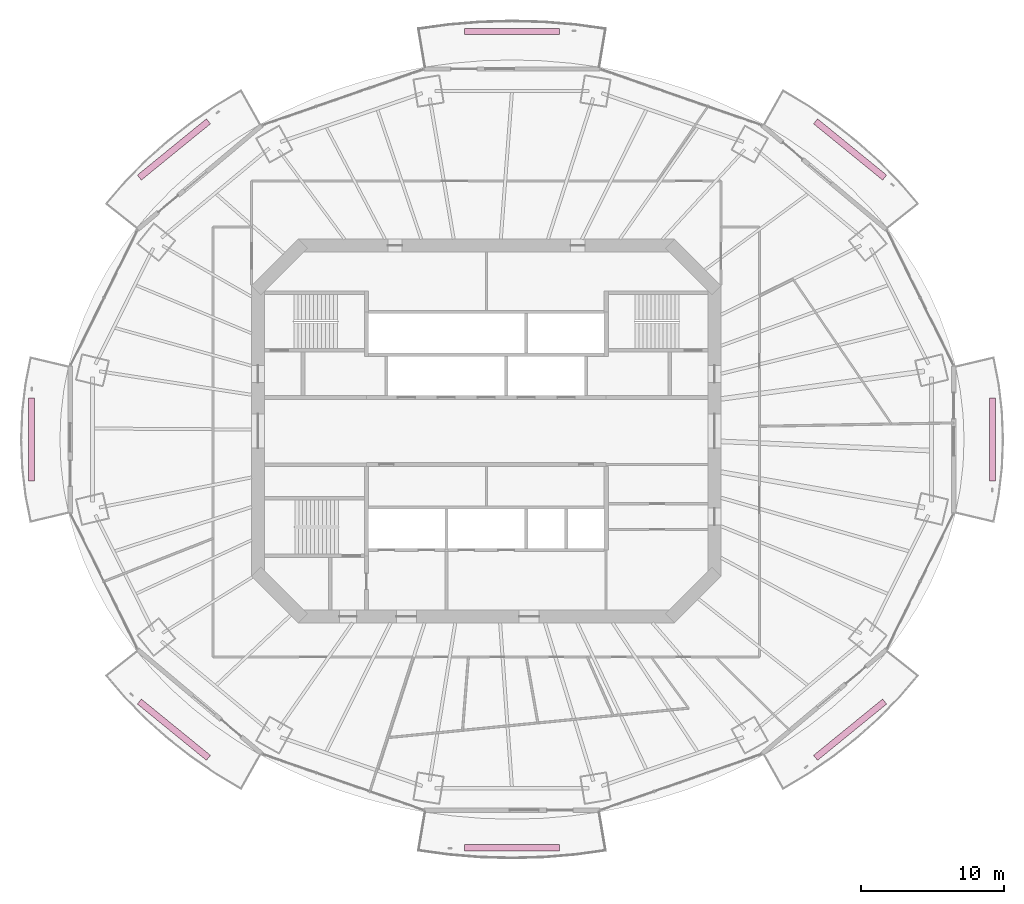
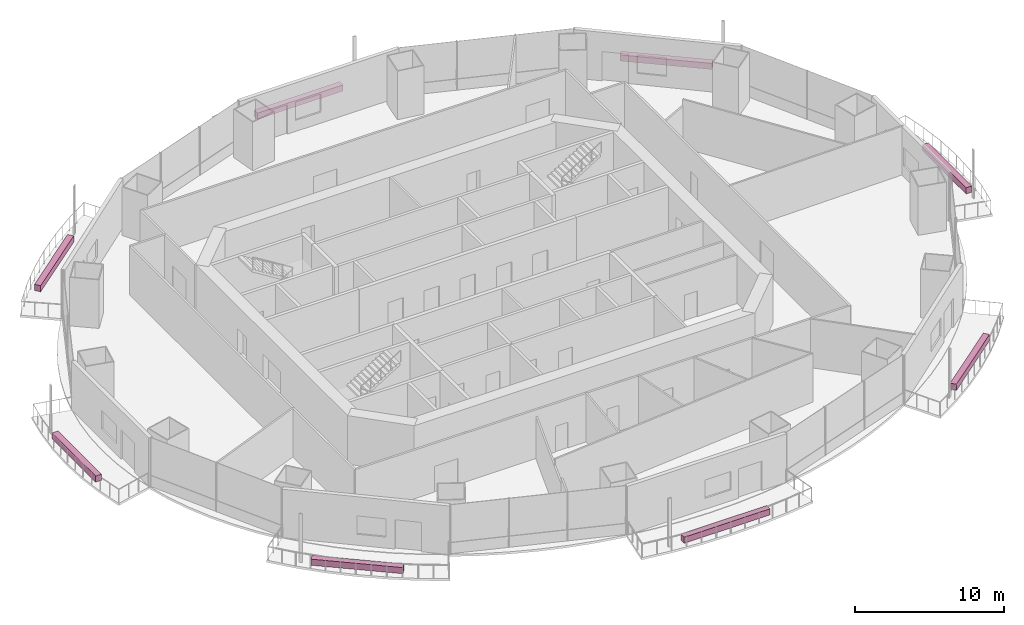
# One storey, part 21 of 21: 8 furnishings.
"""IFC4 building model written with IfcOpenShell, lengths in metres."""

from ifc_helpers import new_model, si_unit, direction, frame, origin, origin_2d, place, context, subcontext, project, spatial, rectangle, extrude, material, type_object, element, save


model = new_model("IFC4")

# Units and contexts
model_context = context("Model", 3, precision=1e-05, world=origin(), true_north=direction((0.0, 1.0)))
body_context = subcontext(model_context, "Body", "Model", "MODEL_VIEW")
ifc_project = project(units=[si_unit("LENGTHUNIT", "METRE"), si_unit("AREAUNIT", "SQUARE_METRE"), si_unit("VOLUMEUNIT", "CUBIC_METRE"), si_unit("PLANEANGLEUNIT", "RADIAN"), si_unit("MASSUNIT", "GRAM", prefix="KILO")], contexts=[model_context])

# Site, building, storey
site_placement = place(None, origin())
site = spatial("IfcSite", under=ifc_project, at=site_placement, CompositionType="ELEMENT")
building_placement = place(site_placement, origin())
building = spatial("IfcBuilding", under=site, at=building_placement, Name="Marenthal Gate Tower", CompositionType="ELEMENT")
storey_placement = place(building_placement, frame((0.0, 0.0, 198.39990234375)))
storey = spatial("IfcBuildingStorey", under=building, at=storey_placement, Name="L43", CompositionType="ELEMENT", Elevation=198.39990234375)

# Furnishings
ifc_material = material(Name="Planting soil and foliage", Category="planting")
furnishing_element_type = type_object("IfcFurnishingElementType", Name="Balcony PLANTER trough", material=ifc_material)
furnishing_1_placement = place(storey_placement, frame((25.501953125, 19.739501953125, -0.039794921875), z_axis=(0.0, 0.0, 1.0), x_axis=(-0.775359543863, 0.631520053316, 0.0)))
element("IfcFurnishingElement", 1, at=furnishing_1_placement, inside=storey, type_object=furnishing_element_type, Name="Balcony PLANTER L43 bay 2", ObjectType="PLANTER", context=body_context, shape_type="SweptSolid", body=[
    extrude(rectangle(XDim=6.248046875, YDim=0.449951171875, at=origin_2d()), origin(), (0.0, 0.0, 1.0), 0.5),
])
furnishing_2_placement = place(storey_placement, frame((1.800048828125, 28.010009765625, -0.039794921875), z_axis=(0.0, 0.0, 1.0), x_axis=(-1.0, 0.0, 0.0)))
element("IfcFurnishingElement", 2, at=furnishing_2_placement, inside=storey, type_object=furnishing_element_type, Name="Balcony PLANTER L43 bay 4", ObjectType="PLANTER", context=body_context, shape_type="SweptSolid", body=[
    extrude(rectangle(XDim=6.64404296875, YDim=0.449951171875, at=origin_2d()), origin(), (0.0, 0.0, 1.0), 0.5),
])
furnishing_3_placement = place(storey_placement, frame((-21.90185546875, 19.739501953125, -0.039794921875), z_axis=(0.0, 0.0, 1.0), x_axis=(-0.775359543863, -0.631520053316, 0.0)))
element("IfcFurnishingElement", 3, at=furnishing_3_placement, inside=storey, type_object=furnishing_element_type, Name="Balcony PLANTER L43 bay 6", ObjectType="PLANTER", context=body_context, shape_type="SweptSolid", body=[
    extrude(rectangle(XDim=6.248046875, YDim=0.449951171875, at=origin_2d()), origin(), (0.0, 0.0, 1.0), 0.5),
])
furnishing_4_placement = place(storey_placement, frame((-31.886962890625, -0.60009765625, -0.039794921875), z_axis=(0.0, 0.0, 1.0), x_axis=(0.0, -1.0, 0.0)))
element("IfcFurnishingElement", 4, at=furnishing_4_placement, inside=storey, type_object=furnishing_element_type, Name="Balcony PLANTER L43 bay 8", ObjectType="PLANTER", context=body_context, shape_type="SweptSolid", body=[
    extrude(rectangle(XDim=5.837646484375, YDim=0.449951171875, at=origin_2d()), origin(), (0.0, 0.0, 1.0), 0.5),
])
furnishing_5_placement = place(storey_placement, frame((-21.90185546875, -20.939697265625, -0.039794921875), z_axis=(0.0, 0.0, 1.0), x_axis=(0.775359543863, -0.631520053316, 0.0)))
element("IfcFurnishingElement", 5, at=furnishing_5_placement, inside=storey, type_object=furnishing_element_type, Name="Balcony PLANTER L43 bay 10", ObjectType="PLANTER", context=body_context, shape_type="SweptSolid", body=[
    extrude(rectangle(XDim=6.248046875, YDim=0.449951171875, at=origin_2d()), origin(), (0.0, 0.0, 1.0), 0.5),
])
furnishing_6_placement = place(storey_placement, frame((1.800048828125, -29.2099609375, -0.039794921875), z_axis=(0.0, 0.0, 1.0), x_axis=(1.0, 0.0, 0.0)))
element("IfcFurnishingElement", 6, at=furnishing_6_placement, inside=storey, type_object=furnishing_element_type, Name="Balcony PLANTER L43 bay 12", ObjectType="PLANTER", context=body_context, shape_type="SweptSolid", body=[
    extrude(rectangle(XDim=6.64404296875, YDim=0.449951171875, at=origin_2d()), origin(), (0.0, 0.0, 1.0), 0.5),
])
furnishing_7_placement = place(storey_placement, frame((25.501953125, -20.939697265625, -0.039794921875), z_axis=(0.0, 0.0, 1.0), x_axis=(0.775359543863, 0.631520053316, 0.0)))
element("IfcFurnishingElement", 7, at=furnishing_7_placement, inside=storey, type_object=furnishing_element_type, Name="Balcony PLANTER L43 bay 14", ObjectType="PLANTER", context=body_context, shape_type="SweptSolid", body=[
    extrude(rectangle(XDim=6.248046875, YDim=0.449951171875, at=origin_2d()), origin(), (0.0, 0.0, 1.0), 0.5),
])
furnishing_8_placement = place(storey_placement, frame((35.487060546875, -0.60009765625, -0.039794921875), z_axis=(0.0, 0.0, 1.0), x_axis=(0.0, 1.0, 0.0)))
element("IfcFurnishingElement", 8, at=furnishing_8_placement, inside=storey, type_object=furnishing_element_type, Name="Balcony PLANTER L43 bay 16", ObjectType="PLANTER", context=body_context, shape_type="SweptSolid", body=[
    extrude(rectangle(XDim=5.837646484375, YDim=0.449951171875, at=origin_2d()), origin(), (0.0, 0.0, 1.0), 0.5),
])

save(model, "model.ifc")
